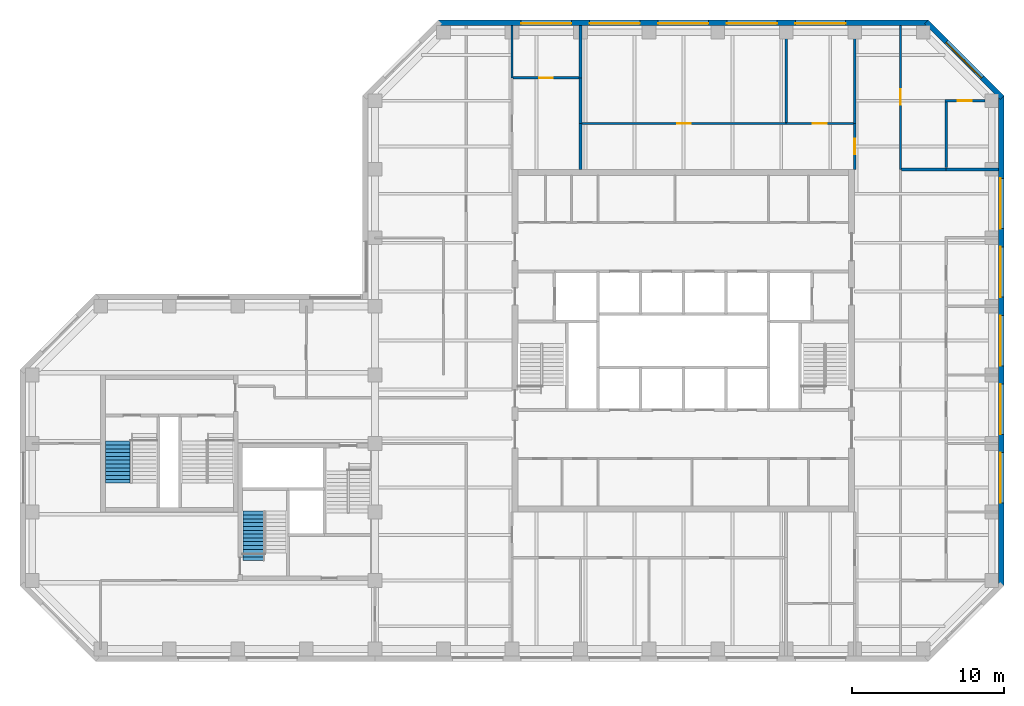
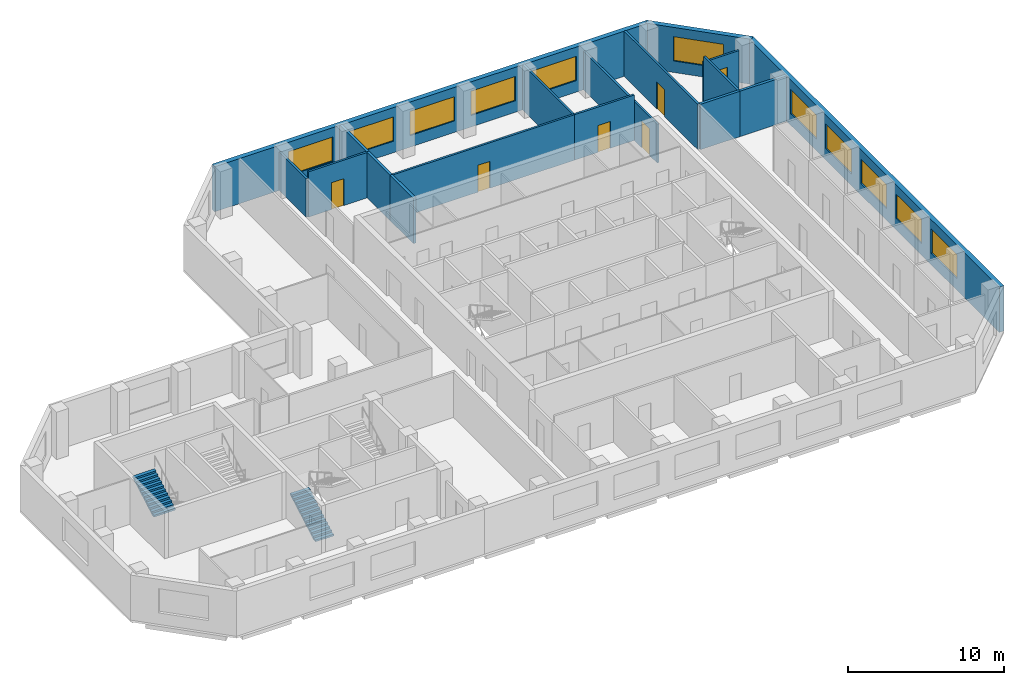
# One storey, part 7 of 9: 18 walls, 11 windows, 6 doors, 2 stair flights, 17 openings, 2 elements without a shape of their own.
"""IFC4 building model written with IfcOpenShell, lengths in metres."""

import ifcopenshell
import ifcopenshell.guid

model = None  # the IFC model being written
_history = None  # IfcOwnerHistory: only IFC2X3 demands one
_inside = {}  # id of a spatial element -> (the spatial element, [elements in it])
_under = {}  # id of a project, library or spatial element -> (it, [spatial elements below it])
_declared = {}  # id of a project -> (the project, [libraries it declares])
_typed = {}  # id of a type object -> (the type object, [elements of that type])
_made_of = {}  # id of a material, layer set ... -> (it, [elements and type objects made of it])


def new_model(schema):
    """Start an empty IFC model of exactly this schema.

    Asked for "IFC4X3", IfcOpenShell would pick the latest addendum, in which some entities
    have other attributes; the version numbers below select the first issue.
    IFC2X3 requires an IfcOwnerHistory on every rooted entity: one is made here for all.
    """
    global model, _history
    if schema == "IFC4X3":
        model = ifcopenshell.file(schema_version=(4, 3, 0, 0))
    else:
        model = ifcopenshell.file(schema=schema)
    _inside.clear()
    _under.clear()
    _declared.clear()
    _typed.clear()
    _made_of.clear()
    _history = None
    if model.schema == "IFC2X3":
        org = make("IfcOrganization", Name="unknown")
        user = make(
            "IfcPersonAndOrganization",
            ThePerson=make("IfcPerson", FamilyName="unknown"),
            TheOrganization=org,
        )
        app = make(
            "IfcApplication",
            ApplicationDeveloper=org,
            Version="unknown",
            ApplicationFullName="unknown",
            ApplicationIdentifier="unknown",
        )
        _history = make(
            "IfcOwnerHistory",
            OwningUser=user,
            OwningApplication=app,
            ChangeAction="ADDED",
            CreationDate=0,
        )
    return model


def make(cls, **values):
    """One entity of the class cls with the attributes given. An attribute that is None is left unset."""
    return model.create_entity(
        cls, **{name: value for name, value in values.items() if value is not None}
    )


def rooted(cls, **values):
    """An entity with a GlobalId (a new one), such as an element, a storey or a relation."""
    return make(cls, GlobalId=ifcopenshell.guid.new(), OwnerHistory=_history, **values)


def si_unit(unit_type, name, prefix=None):
    """IfcSIUnit, for example si_unit("LENGTHUNIT", "METRE", prefix="MILLI")."""
    return make("IfcSIUnit", UnitType=unit_type, Prefix=prefix, Name=name)


def assignment(units):
    """IfcUnitAssignment: the units of a project."""
    return None if units is None else make("IfcUnitAssignment", Units=units)


def point(xyz):
    """IfcCartesianPoint."""
    return None if xyz is None else make("IfcCartesianPoint", Coordinates=xyz)


def direction(xyz):
    """IfcDirection."""
    return None if xyz is None else make("IfcDirection", DirectionRatios=xyz)


def frame(location, z_axis=None, x_axis=None):
    """IfcAxis2Placement3D, a coordinate frame: its origin and axes. An axis left out is left unset."""
    return make(
        "IfcAxis2Placement3D",
        Location=point(location),
        Axis=direction(z_axis),
        RefDirection=direction(x_axis),
    )


def frame_2d(location, x_axis=None):
    """IfcAxis2Placement2D, a coordinate frame in the plane: its origin and x axis."""
    return make(
        "IfcAxis2Placement2D", Location=point(location), RefDirection=direction(x_axis)
    )


def origin():
    """The frame at (0, 0, 0) with its axes left unset."""
    return frame((0.0, 0.0, 0.0))


def place(relative_to, where):
    """IfcLocalPlacement: puts the frame where relative to a parent placement (None: the world)."""
    return make(
        "IfcLocalPlacement", PlacementRelTo=relative_to, RelativePlacement=where
    )


def context(
    kind, dimensions, precision=None, world=None, true_north=None, identifier=None
):
    """IfcGeometricRepresentationContext, for example the 3D "Model" context."""
    return make(
        "IfcGeometricRepresentationContext",
        ContextIdentifier=identifier,
        ContextType=kind,
        CoordinateSpaceDimension=dimensions,
        Precision=precision,
        WorldCoordinateSystem=world,
        TrueNorth=true_north,
    )


def subcontext(parent, identifier, kind, view, scale=None):
    """IfcGeometricRepresentationSubContext, for example "Body" below "Model"."""
    return make(
        "IfcGeometricRepresentationSubContext",
        ContextIdentifier=identifier,
        ContextType=kind,
        ParentContext=parent,
        TargetScale=scale,
        TargetView=view,
    )


def project(units=None, contexts=None):
    """IfcProject with its units and contexts."""
    return rooted(
        "IfcProject",
        Name="project",
        RepresentationContexts=contexts,
        UnitsInContext=assignment(units),
    )


def spatial(cls, under=None, at=None, **own):
    """A site, building, storey or space (cls), placed at a placement, below another one or the project."""
    s = rooted(cls, ObjectPlacement=at, **own)
    if under is not None:
        _under.setdefault(under.id(), (under, []))[1].append(s)
    return s


def polyline(points):
    """IfcPolyline through the points."""
    return make("IfcPolyline", Points=[point(p) for p in points])


def profile(cls, at=None, kind="AREA", **sizes):
    """A parametric profile (cls). Its sizes go by their IFC names, for example OverallWidth=200.0."""
    return make(cls, ProfileType=kind, Position=at, **sizes)


def rectangle(**sizes):
    """IfcRectangleProfileDef."""
    return profile("IfcRectangleProfileDef", **sizes)


def outline(outer, holes=None, kind="AREA"):
    """IfcArbitraryClosedProfileDef: a profile drawn as a closed curve; with holes, ...WithVoids."""
    if holes is None:
        return make("IfcArbitraryClosedProfileDef", ProfileType=kind, OuterCurve=outer)
    return make(
        "IfcArbitraryProfileDefWithVoids",
        ProfileType=kind,
        OuterCurve=outer,
        InnerCurves=holes,
    )


def extrude(swept, where, along, depth):
    """IfcExtrudedAreaSolid: the profile swept, set in the frame where, extruded along a direction by depth."""
    return make(
        "IfcExtrudedAreaSolid",
        SweptArea=swept,
        Position=where,
        ExtrudedDirection=direction(along),
        Depth=depth,
    )


def shape(context_of_items, identifier, shape_type, items):
    """IfcShapeRepresentation: the items that make up one representation, for example the "Body"."""
    return make(
        "IfcShapeRepresentation",
        ContextOfItems=context_of_items,
        RepresentationIdentifier=identifier,
        RepresentationType=shape_type,
        Items=items,
    )


def material(Name=None, Category=None):
    """IfcMaterial."""
    return make("IfcMaterial", Name=Name, Category=Category)


def layer(
    of_material, thickness, ventilated=None, Name=None, Category=None, Priority=None
):
    """IfcMaterialLayer: one layer of a wall or slab, of a material (None: an air gap)."""
    return make(
        "IfcMaterialLayer",
        Material=of_material,
        LayerThickness=thickness,
        IsVentilated=ventilated,
        Name=Name,
        Category=Category,
        Priority=Priority,
    )


def layer_set(layers, Name=None):
    """IfcMaterialLayerSet."""
    return make("IfcMaterialLayerSet", MaterialLayers=layers, LayerSetName=Name)


def constituent(of_material, Name=None, Category=None, fraction=None):
    """IfcMaterialConstituent: one of the materials an element consists of."""
    return make(
        "IfcMaterialConstituent",
        Name=Name,
        Material=of_material,
        Fraction=fraction,
        Category=Category,
    )


def constituent_set(constituents=None, Name=None):
    """IfcMaterialConstituentSet."""
    return make(
        "IfcMaterialConstituentSet", Name=Name, MaterialConstituents=constituents
    )


def made_of(thing, what):
    """Note that an element or type object is made of a material, layer set ...; save() writes the relation."""
    if what is not None:
        _made_of.setdefault(what.id(), (what, []))[1].append(thing)
    return thing


def type_object(cls, material=None, **own):
    """A type object (cls), such as IfcWallType, which elements share."""
    return made_of(rooted(cls, **own), material)


def element(
    cls,
    number,
    at=None,
    inside=None,
    cuts=None,
    type_object=None,
    material=None,
    context=None,
    identifier="Body",
    shape_type=None,
    held_by="IfcProductDefinitionShape",
    body=None,
    shapes=None,
    **own,
):
    """One element of the class cls, such as IfcWall. Its Tag is "e" and its number.

    at: its placement. inside: the storey or other place that contains it. cuts: it is an
    opening in that element (IfcRelVoidsElement). A single representation is given by context,
    identifier, shape_type and body (its items); several are given by shapes. held_by: the class
    of the entity that holds the representations. save() writes the other relations.
    """
    e = rooted(cls, Tag="e%d" % number, ObjectPlacement=at, **own)
    if body is not None:
        shapes = [shape(context, identifier, shape_type, body)]
    if shapes is not None:
        e.Representation = make(held_by, Representations=shapes)
    if inside is not None:
        _inside.setdefault(inside.id(), (inside, []))[1].append(e)
    if cuts is not None:
        rooted(
            "IfcRelVoidsElement", RelatingBuildingElement=cuts, RelatedOpeningElement=e
        )
    if type_object is not None:
        _typed.setdefault(type_object.id(), (type_object, []))[1].append(e)
    return made_of(e, material)


def fill(opening, filler):
    """IfcRelFillsElement: the door or window that sits in an opening."""
    return rooted(
        "IfcRelFillsElement",
        RelatingOpeningElement=opening,
        RelatedBuildingElement=filler,
    )


def aggregate(whole, parts):
    """IfcRelAggregates: a whole, such as a stair, and the parts it consists of."""
    return rooted("IfcRelAggregates", RelatingObject=whole, RelatedObjects=parts)


def save(model, path):
    """Write the relations noted so far, then the file.

    IfcRelAggregates (storeys below a building ...), IfcRelContainedInSpatialStructure (elements
    in a storey), IfcRelDefinesByType, IfcRelAssociatesMaterial and IfcRelDeclares: one each for
    every whole, place, type object, material and project.
    """
    for whole, parts in _under.values():
        aggregate(whole, parts)
    for where, things in _inside.values():
        rooted(
            "IfcRelContainedInSpatialStructure",
            RelatedElements=things,
            RelatingStructure=where,
        )
    for kind, things in _typed.values():
        rooted("IfcRelDefinesByType", RelatedObjects=things, RelatingType=kind)
    for what, things in _made_of.values():
        rooted("IfcRelAssociatesMaterial", RelatedObjects=things, RelatingMaterial=what)
    for by, libraries in _declared.values():
        rooted("IfcRelDeclares", RelatingContext=by, RelatedDefinitions=libraries)
    model.write(path)


model = new_model("IFC4")

# Units and contexts
model_context = context("Model", 3, precision=1e-05, world=origin(), true_north=direction((0.0, 1.0)))
body_context = subcontext(model_context, "Body", "Model", "MODEL_VIEW")
ifc_project = project(units=[si_unit("LENGTHUNIT", "METRE"), si_unit("AREAUNIT", "SQUARE_METRE"), si_unit("VOLUMEUNIT", "CUBIC_METRE"), si_unit("PLANEANGLEUNIT", "RADIAN"), si_unit("MASSUNIT", "GRAM", prefix="KILO")], contexts=[model_context])

# Site, building, storey
site_placement = place(None, origin())
site = spatial("IfcSite", under=ifc_project, at=site_placement, CompositionType="ELEMENT")
building_placement = place(site_placement, origin())
building = spatial("IfcBuilding", under=site, at=building_placement, Name="Quoin Convention Tower", CompositionType="ELEMENT")
storey_placement = place(building_placement, frame((0.0, 0.0, 177.300048828125)))
storey = spatial("IfcBuildingStorey", under=building, at=storey_placement, Name="L46", CompositionType="ELEMENT", Elevation=177.300048828125)

# Wall, opening, door
ifc_material_1 = material(Name="Plasterboard")
ifc_layer_1 = layer(ifc_material_1, 0.012451171875, Name="Finish")
ifc_material_2 = material(Name="Steel stud framing", Category="steel")
ifc_layer_2 = layer(ifc_material_2, 0.125, Name="Structure")
ifc_layer_3 = layer(ifc_material_1, 0.012451171875, Name="Finish")
ifc_layer_set_1 = layer_set([ifc_layer_1, ifc_layer_2, ifc_layer_3], Name="Steel stud framing")
wall_type_1 = type_object("IfcWallType", Name="Acoustic partition 150", PredefinedType="PARTITIONING", material=ifc_layer_set_1)
wall_1_placement = place(storey_placement, frame((49.60009765625, 75.0, 0.0), z_axis=(0.0, 0.0, 1.0), x_axis=(1.0, 0.0, 0.0)))
wall_1 = element("IfcWall", 1, at=wall_1_placement, inside=storey, type_object=wall_type_1, Name="pw-L46-021", PredefinedType="PARTITIONING", context=body_context, shape_type="SweptSolid", body=[
    extrude(rectangle(XDim=13.39990234375, YDim=0.14990234375, at=frame_2d((6.699951171875, 0.0))), origin(), (0.0, 0.0, 1.0), 3.550048828125),
])
opening_1_placement = place(wall_1_placement, frame((6.25, 0.0, 0.0)))
opening_1 = element("IfcOpeningElement", 2, at=opening_1_placement, cuts=wall_1, Name="Opening DOH5-06", PredefinedType="OPENING", context=body_context, shape_type="SweptSolid", body=[
    extrude(rectangle(XDim=0.89990234375, YDim=2.10009765625, at=frame_2d((0.449951171875, 1.050048828125))), frame((0.0, 0.0849609375, 0.0), z_axis=(0.0, -1.0, 0.0), x_axis=(1.0, 0.0, 0.0)), (0.0, 0.0, 1.0), 0.169921875),
])
ifc_material_3 = material(Name="Steel door leaf", Category="steel")
door_type_1 = type_object("IfcDoorType", Name="Office door 900 x 2100", OperationType="SINGLE_SWING_RIGHT", PredefinedType="DOOR", material=ifc_material_3)
door_1_placement = place(opening_1_placement, frame((0.89990234375, 0.0, 0.0), z_axis=(0.0, 0.0, 1.0), x_axis=(-1.0, 0.0, 0.0)))
door_1 = element("IfcDoor", 3, at=door_1_placement, inside=storey, type_object=door_type_1, Name="dr-L46-16", OperationType="SINGLE_SWING_LEFT", OverallHeight=2.10009765625, OverallWidth=0.89990234375, PredefinedType="DOOR", context=body_context, shape_type="SweptSolid", body=[
    extrude(rectangle(XDim=0.89990234375, YDim=2.10009765625, at=frame_2d((0.449951171875, 1.050048828125))), frame((0.0, 0.02490234375, 0.0), z_axis=(0.0, -1.0, 0.0), x_axis=(1.0, 0.0, 0.0)), (0.0, 0.0, 1.0), 0.050048828125),
])
fill(opening_1, door_1)

wall_2_placement = place(storey_placement, frame((63.0, 75.0, 0.0), z_axis=(0.0, 0.0, 1.0), x_axis=(1.0, 0.0, 0.0)))
wall_2 = element("IfcWall", 4, at=wall_2_placement, inside=storey, type_object=wall_type_1, Name="pw-L46-022", PredefinedType="PARTITIONING", context=body_context, shape_type="SweptSolid", body=[
    extrude(rectangle(XDim=4.425048828125, YDim=0.14990234375, at=frame_2d((2.21240234375, 0.0))), origin(), (0.0, 0.0, 1.0), 3.550048828125),
])
opening_2_placement = place(wall_2_placement, frame((1.75, 0.0, 0.0)))
opening_2 = element("IfcOpeningElement", 5, at=opening_2_placement, cuts=wall_2, Name="Opening DOH5-07", PredefinedType="OPENING", context=body_context, shape_type="SweptSolid", body=[
    extrude(rectangle(XDim=0.89990234375, YDim=2.10009765625, at=frame_2d((0.449951171875, 1.050048828125))), frame((0.0, 0.0849609375, 0.0), z_axis=(0.0, -1.0, 0.0), x_axis=(1.0, 0.0, 0.0)), (0.0, 0.0, 1.0), 0.169921875),
])
door_2_placement = place(opening_2_placement, origin())
door_2 = element("IfcDoor", 6, at=door_2_placement, inside=storey, type_object=door_type_1, Name="dr-L46-17", OperationType="SINGLE_SWING_LEFT", OverallHeight=2.10009765625, OverallWidth=0.89990234375, PredefinedType="DOOR", context=body_context, shape_type="SweptSolid", body=[
    extrude(rectangle(XDim=0.89990234375, YDim=2.10009765625, at=frame_2d((0.449951171875, 1.050048828125))), frame((0.0, 0.02490234375, 0.0), z_axis=(0.0, -1.0, 0.0), x_axis=(1.0, 0.0, 0.0)), (0.0, 0.0, 1.0), 0.050048828125),
])
fill(opening_2, door_2)

wall_3_placement = place(storey_placement, frame((45.074951171875, 78.0, 0.0), z_axis=(0.0, 0.0, 1.0), x_axis=(1.0, 0.0, 0.0)))
wall_3 = element("IfcWall", 7, at=wall_3_placement, inside=storey, type_object=wall_type_1, Name="pw-L46-024", PredefinedType="PARTITIONING", context=body_context, shape_type="SweptSolid", body=[
    extrude(rectangle(XDim=4.324951171875, YDim=0.14990234375, at=frame_2d((2.16259765625, 0.0))), origin(), (0.0, 0.0, 1.0), 3.550048828125),
])
opening_3_placement = place(wall_3_placement, frame((1.699951171875, 0.0, 0.0)))
opening_3 = element("IfcOpeningElement", 8, at=opening_3_placement, cuts=wall_3, Name="Opening DOH5-09", PredefinedType="OPENING", context=body_context, shape_type="SweptSolid", body=[
    extrude(rectangle(XDim=0.89990234375, YDim=2.10009765625, at=frame_2d((0.449951171875, 1.050048828125))), frame((0.0, 0.0849609375, 0.0), z_axis=(0.0, -1.0, 0.0), x_axis=(1.0, 0.0, 0.0)), (0.0, 0.0, 1.0), 0.169921875),
])
door_3_placement = place(opening_3_placement, origin())
door_3 = element("IfcDoor", 9, at=door_3_placement, inside=storey, type_object=door_type_1, Name="dr-L46-14", OperationType="SINGLE_SWING_RIGHT", OverallHeight=2.10009765625, OverallWidth=0.89990234375, PredefinedType="DOOR", context=body_context, shape_type="SweptSolid", body=[
    extrude(rectangle(XDim=0.89990234375, YDim=2.10009765625, at=frame_2d((0.449951171875, 1.050048828125))), frame((0.0, 0.02490234375, 0.0), z_axis=(0.0, -1.0, 0.0), x_axis=(1.0, 0.0, 0.0)), (0.0, 0.0, 1.0), 0.050048828125),
])
fill(opening_3, door_3)

# Walls
wall_4_placement = place(storey_placement, frame((73.5, 72.10009765625, 0.0), z_axis=(0.0, 0.0, 1.0), x_axis=(0.0, 1.0, 0.0)))
element("IfcWall", 10, at=wall_4_placement, inside=storey, type_object=wall_type_1, Name="pw-L46-054", PredefinedType="PARTITIONING", context=body_context, shape_type="SweptSolid", body=[
    extrude(rectangle(XDim=4.324951171875, YDim=0.14990234375, at=frame_2d((2.16259765625, 0.0))), origin(), (0.0, 0.0, 1.0), 3.550048828125),
])
wall_5_placement = place(storey_placement, frame((63.0, 75.074951171875, 0.0), z_axis=(0.0, 0.0, 1.0), x_axis=(0.0, 1.0, 0.0)))
element("IfcWall", 11, at=wall_5_placement, inside=storey, type_object=wall_type_1, Name="pw-L46-057", PredefinedType="PARTITIONING", context=body_context, shape_type="SweptSolid", body=[
    extrude(rectangle(XDim=6.375, YDim=0.14990234375, at=frame_2d((3.1875, 0.0))), origin(), (0.0, 0.0, 1.0), 3.550048828125),
])

# Wall, opening, door
ifc_layer_4 = layer(ifc_material_1, 0.012451171875, Name="Finish")
ifc_layer_5 = layer(ifc_material_2, 0.125, Name="Structure")
ifc_layer_6 = layer(ifc_material_1, 0.012451171875, Name="Finish")
ifc_layer_set_2 = layer_set([ifc_layer_4, ifc_layer_5, ifc_layer_6], Name="Steel stud framing")
wall_type_2 = type_object("IfcWallType", Name="Acoustic partition 150 under beam 454", PredefinedType="PARTITIONING", material=ifc_layer_set_2)
wall_6_placement = place(storey_placement, frame((73.425048828125, 76.5, 0.0), z_axis=(0.0, 0.0, 1.0), x_axis=(1.0, 0.0, 0.0)))
wall_6 = element("IfcWall", 12, at=wall_6_placement, inside=storey, type_object=wall_type_2, Name="pw-L46-023", PredefinedType="PARTITIONING", context=body_context, shape_type="SweptSolid", body=[
    extrude(rectangle(XDim=2.625, YDim=0.14990234375, at=frame_2d((1.3125, 0.0))), origin(), (0.0, 0.0, 1.0), 3.095947265625),
])
opening_4_placement = place(wall_6_placement, frame((0.85009765625, 0.0, 0.0)))
opening_4 = element("IfcOpeningElement", 13, at=opening_4_placement, cuts=wall_6, Name="Opening DOH5-08", PredefinedType="OPENING", context=body_context, shape_type="SweptSolid", body=[
    extrude(rectangle(XDim=0.89990234375, YDim=2.10009765625, at=frame_2d((0.449951171875, 1.050048828125))), frame((0.0, 0.0849609375, 0.0), z_axis=(0.0, -1.0, 0.0), x_axis=(1.0, 0.0, 0.0)), (0.0, 0.0, 1.0), 0.169921875),
])
door_4_placement = place(opening_4_placement, origin())
door_4 = element("IfcDoor", 14, at=door_4_placement, inside=storey, type_object=door_type_1, Name="dr-L46-26", OperationType="SINGLE_SWING_RIGHT", OverallHeight=2.10009765625, OverallWidth=0.89990234375, PredefinedType="DOOR", context=body_context, shape_type="SweptSolid", body=[
    extrude(rectangle(XDim=0.89990234375, YDim=2.10009765625, at=frame_2d((0.449951171875, 1.050048828125))), frame((0.0, 0.02490234375, 0.0), z_axis=(0.0, -1.0, 0.0), x_axis=(1.0, 0.0, 0.0)), (0.0, 0.0, 1.0), 0.050048828125),
])
fill(opening_4, door_4)

# Wall, openings, windows
ifc_material_4 = material(Name="Brick masonry", Category="masonry")
ifc_layer_7 = layer(ifc_material_4, 0.35009765625)
ifc_layer_set_3 = layer_set([ifc_layer_7], Name="Brick masonry")
wall_type_3 = type_object("IfcWallType", Name="Brick facade wall", PredefinedType="STANDARD", material=ifc_layer_set_3)
wall_7_placement = place(storey_placement, frame((77.125, 44.668701171875, 0.0), z_axis=(0.0, 0.0, 1.0), x_axis=(0.0, 1.0, 0.0)))
wall_7 = element("IfcWall", 15, at=wall_7_placement, inside=storey, type_object=wall_type_3, Name="fw-L46-76500_45000", PredefinedType="STANDARD", context=body_context, shape_type="SweptSolid", body=[
    extrude(rectangle(XDim=32.16259765625, YDim=0.35009765625, at=frame_2d((16.081298828125, 0.0))), origin(), (0.0, 0.0, 1.0), 3.52490234375),
])
opening_5_placement = place(wall_7_placement, frame((5.431396484375, 0.0, 0.89990234375)))
opening_5 = element("IfcOpeningElement", 16, at=opening_5_placement, cuts=wall_7, Name="Opening W-02", PredefinedType="OPENING", context=body_context, shape_type="SweptSolid", body=[
    extrude(rectangle(XDim=3.300048828125, YDim=1.89990234375, at=frame_2d((1.64990234375, 0.949951171875))), frame((0.0, 0.18505859375, 0.0), z_axis=(0.0, -1.0, 0.0), x_axis=(1.0, 0.0, 0.0)), (0.0, 0.0, 1.0), 0.3701171875),
])
opening_6_placement = place(wall_7_placement, frame((9.931396484375, 0.0, 0.89990234375)))
opening_6 = element("IfcOpeningElement", 17, at=opening_6_placement, cuts=wall_7, Name="Opening W-02", PredefinedType="OPENING", context=body_context, shape_type="SweptSolid", body=[
    extrude(rectangle(XDim=3.300048828125, YDim=1.89990234375, at=frame_2d((1.64990234375, 0.949951171875))), frame((0.0, 0.18505859375, 0.0), z_axis=(0.0, -1.0, 0.0), x_axis=(1.0, 0.0, 0.0)), (0.0, 0.0, 1.0), 0.3701171875),
])
opening_7_placement = place(wall_7_placement, frame((14.431396484375, 0.0, 0.89990234375)))
opening_7 = element("IfcOpeningElement", 18, at=opening_7_placement, cuts=wall_7, Name="Opening W-02", PredefinedType="OPENING", context=body_context, shape_type="SweptSolid", body=[
    extrude(rectangle(XDim=3.300048828125, YDim=1.89990234375, at=frame_2d((1.64990234375, 0.949951171875))), frame((0.0, 0.18505859375, 0.0), z_axis=(0.0, -1.0, 0.0), x_axis=(1.0, 0.0, 0.0)), (0.0, 0.0, 1.0), 0.3701171875),
])
opening_8_placement = place(wall_7_placement, frame((18.931396484375, 0.0, 0.89990234375)))
opening_8 = element("IfcOpeningElement", 19, at=opening_8_placement, cuts=wall_7, Name="Opening W-02", PredefinedType="OPENING", context=body_context, shape_type="SweptSolid", body=[
    extrude(rectangle(XDim=3.300048828125, YDim=1.89990234375, at=frame_2d((1.64990234375, 0.949951171875))), frame((0.0, 0.18505859375, 0.0), z_axis=(0.0, -1.0, 0.0), x_axis=(1.0, 0.0, 0.0)), (0.0, 0.0, 1.0), 0.3701171875),
])
opening_9_placement = place(wall_7_placement, frame((23.431396484375, 0.0, 0.89990234375)))
opening_9 = element("IfcOpeningElement", 20, at=opening_9_placement, cuts=wall_7, Name="Opening W-02", PredefinedType="OPENING", context=body_context, shape_type="SweptSolid", body=[
    extrude(rectangle(XDim=3.300048828125, YDim=1.89990234375, at=frame_2d((1.64990234375, 0.949951171875))), frame((0.0, 0.18505859375, 0.0), z_axis=(0.0, -1.0, 0.0), x_axis=(1.0, 0.0, 0.0)), (0.0, 0.0, 1.0), 0.3701171875),
])
ifc_material_5 = material(Name="Aluminium", Category="aluminium")
ifc_constituent_1 = constituent(ifc_material_5, Name="Frame")
ifc_material_6 = material(Name="Insulated glass", Category="glass")
ifc_constituent_2 = constituent(ifc_material_6, Name="Glazing")
ifc_constituent_set = constituent_set(constituents=[ifc_constituent_1, ifc_constituent_2], Name="Aluminium")
window_type = type_object("IfcWindowType", Name="Office window", PartitioningType="DOUBLE_PANEL_VERTICAL", PredefinedType="WINDOW", material=ifc_constituent_set)
window_1_placement = place(opening_5_placement, origin())
window_1 = element("IfcWindow", 21, at=window_1_placement, inside=storey, type_object=window_type, Name="win-L46-77125_51750", OverallHeight=1.89990234375, OverallWidth=3.300048828125, PartitioningType="SINGLE_PANEL", PredefinedType="WINDOW", context=body_context, shape_type="SweptSolid", body=[
    extrude(rectangle(XDim=3.300048828125, YDim=1.89990234375, at=frame_2d((1.64990234375, 0.949951171875))), frame((0.0, 0.0849609375, 0.0), z_axis=(0.0, -1.0, 0.0), x_axis=(1.0, 0.0, 0.0)), (0.0, 0.0, 1.0), 0.06005859375),
])
fill(opening_5, window_1)
window_2_placement = place(opening_6_placement, origin())
window_2 = element("IfcWindow", 22, at=window_2_placement, inside=storey, type_object=window_type, Name="win-L46-77125_56250", OverallHeight=1.89990234375, OverallWidth=3.300048828125, PartitioningType="SINGLE_PANEL", PredefinedType="WINDOW", context=body_context, shape_type="SweptSolid", body=[
    extrude(rectangle(XDim=3.300048828125, YDim=1.89990234375, at=frame_2d((1.64990234375, 0.949951171875))), frame((0.0, 0.0849609375, 0.0), z_axis=(0.0, -1.0, 0.0), x_axis=(1.0, 0.0, 0.0)), (0.0, 0.0, 1.0), 0.06005859375),
])
fill(opening_6, window_2)
window_3_placement = place(opening_7_placement, origin())
window_3 = element("IfcWindow", 23, at=window_3_placement, inside=storey, type_object=window_type, Name="win-L46-77125_60750", OverallHeight=1.89990234375, OverallWidth=3.300048828125, PartitioningType="SINGLE_PANEL", PredefinedType="WINDOW", context=body_context, shape_type="SweptSolid", body=[
    extrude(rectangle(XDim=3.300048828125, YDim=1.89990234375, at=frame_2d((1.64990234375, 0.949951171875))), frame((0.0, 0.0849609375, 0.0), z_axis=(0.0, -1.0, 0.0), x_axis=(1.0, 0.0, 0.0)), (0.0, 0.0, 1.0), 0.06005859375),
])
fill(opening_7, window_3)
window_4_placement = place(opening_8_placement, origin())
window_4 = element("IfcWindow", 24, at=window_4_placement, inside=storey, type_object=window_type, Name="win-L46-77125_65250", OverallHeight=1.89990234375, OverallWidth=3.300048828125, PartitioningType="SINGLE_PANEL", PredefinedType="WINDOW", context=body_context, shape_type="SweptSolid", body=[
    extrude(rectangle(XDim=3.300048828125, YDim=1.89990234375, at=frame_2d((1.64990234375, 0.949951171875))), frame((0.0, 0.0849609375, 0.0), z_axis=(0.0, -1.0, 0.0), x_axis=(1.0, 0.0, 0.0)), (0.0, 0.0, 1.0), 0.06005859375),
])
fill(opening_8, window_4)
window_5_placement = place(opening_9_placement, origin())
window_5 = element("IfcWindow", 25, at=window_5_placement, inside=storey, type_object=window_type, Name="win-L46-77125_69750", OverallHeight=1.89990234375, OverallWidth=3.300048828125, PartitioningType="SINGLE_PANEL", PredefinedType="WINDOW", context=body_context, shape_type="SweptSolid", body=[
    extrude(rectangle(XDim=3.300048828125, YDim=1.89990234375, at=frame_2d((1.64990234375, 0.949951171875))), frame((0.0, 0.0849609375, 0.0), z_axis=(0.0, -1.0, 0.0), x_axis=(1.0, 0.0, 0.0)), (0.0, 0.0, 1.0), 0.06005859375),
])
fill(opening_9, window_5)

# Wall, opening, window
wall_8_placement = place(storey_placement, frame((77.17626953125, 76.70751953125, 0.0), z_axis=(0.0, 0.0, 1.0), x_axis=(-0.707106781187, 0.707106781187, 0.0)))
wall_8 = element("IfcWall", 26, at=wall_8_placement, inside=storey, type_object=wall_type_3, Name="fw-L46-76500_76500", PredefinedType="STANDARD", context=body_context, shape_type="SweptSolid", body=[
    extrude(rectangle(XDim=7.02685546875, YDim=0.35009765625, at=frame_2d((3.513427734375, 0.0))), origin(), (0.0, 0.0, 1.0), 3.52490234375),
])
opening_10_placement = place(wall_8_placement, frame((1.86328125, 0.0, 0.89990234375)))
opening_10 = element("IfcOpeningElement", 27, at=opening_10_placement, cuts=wall_8, Name="Opening W-02", PredefinedType="OPENING", context=body_context, shape_type="SweptSolid", body=[
    extrude(rectangle(XDim=3.300048828125, YDim=1.89990234375, at=frame_2d((1.64990234375, 0.949951171875))), frame((0.0, 0.18505859375, 0.0), z_axis=(0.0, -1.0, 0.0), x_axis=(1.0, 0.0, 0.0)), (0.0, 0.0, 1.0), 0.3701171875),
])
window_6_placement = place(opening_10_placement, origin())
window_6 = element("IfcWindow", 28, at=window_6_placement, inside=storey, type_object=window_type, Name="win-L46-74692_79192", OverallHeight=1.89990234375, OverallWidth=3.300048828125, PartitioningType="SINGLE_PANEL", PredefinedType="WINDOW", context=body_context, shape_type="SweptSolid", body=[
    extrude(rectangle(XDim=3.300048828125, YDim=1.89990234375, at=frame_2d((1.64990234375, 0.949951171875))), frame((0.0, 0.0849609375, 0.0), z_axis=(0.0, -1.0, 0.0), x_axis=(1.0, 0.0, 0.0)), (0.0, 0.0, 1.0), 0.06005859375),
])
fill(opening_10, window_6)

# Wall, openings, windows
wall_9_placement = place(storey_placement, frame((72.331298828125, 81.625, 0.0), z_axis=(0.0, 0.0, 1.0), x_axis=(-1.0, 0.0, 0.0)))
wall_9 = element("IfcWall", 29, at=wall_9_placement, inside=storey, type_object=wall_type_3, Name="fw-L46-72000_81000", PredefinedType="STANDARD", context=body_context, shape_type="SweptSolid", body=[
    extrude(rectangle(XDim=32.16259765625, YDim=0.35009765625, at=frame_2d((16.081298828125, 0.0))), origin(), (0.0, 0.0, 1.0), 3.52490234375),
])
opening_11_placement = place(wall_9_placement, frame((5.431396484375, 0.0, 0.89990234375)))
opening_11 = element("IfcOpeningElement", 30, at=opening_11_placement, cuts=wall_9, Name="Opening W-02", PredefinedType="OPENING", context=body_context, shape_type="SweptSolid", body=[
    extrude(rectangle(XDim=3.300048828125, YDim=1.89990234375, at=frame_2d((1.64990234375, 0.949951171875))), frame((0.0, 0.18505859375, 0.0), z_axis=(0.0, -1.0, 0.0), x_axis=(1.0, 0.0, 0.0)), (0.0, 0.0, 1.0), 0.3701171875),
])
opening_12_placement = place(wall_9_placement, frame((9.931396484375, 0.0, 0.89990234375)))
opening_12 = element("IfcOpeningElement", 31, at=opening_12_placement, cuts=wall_9, Name="Opening W-02", PredefinedType="OPENING", context=body_context, shape_type="SweptSolid", body=[
    extrude(rectangle(XDim=3.300048828125, YDim=1.89990234375, at=frame_2d((1.64990234375, 0.949951171875))), frame((0.0, 0.18505859375, 0.0), z_axis=(0.0, -1.0, 0.0), x_axis=(1.0, 0.0, 0.0)), (0.0, 0.0, 1.0), 0.3701171875),
])
opening_13_placement = place(wall_9_placement, frame((14.431396484375, 0.0, 0.89990234375)))
opening_13 = element("IfcOpeningElement", 32, at=opening_13_placement, cuts=wall_9, Name="Opening W-02", PredefinedType="OPENING", context=body_context, shape_type="SweptSolid", body=[
    extrude(rectangle(XDim=3.300048828125, YDim=1.89990234375, at=frame_2d((1.64990234375, 0.949951171875))), frame((0.0, 0.18505859375, 0.0), z_axis=(0.0, -1.0, 0.0), x_axis=(1.0, 0.0, 0.0)), (0.0, 0.0, 1.0), 0.3701171875),
])
opening_14_placement = place(wall_9_placement, frame((18.931396484375, 0.0, 0.89990234375)))
opening_14 = element("IfcOpeningElement", 33, at=opening_14_placement, cuts=wall_9, Name="Opening W-02", PredefinedType="OPENING", context=body_context, shape_type="SweptSolid", body=[
    extrude(rectangle(XDim=3.300048828125, YDim=1.89990234375, at=frame_2d((1.64990234375, 0.949951171875))), frame((0.0, 0.18505859375, 0.0), z_axis=(0.0, -1.0, 0.0), x_axis=(1.0, 0.0, 0.0)), (0.0, 0.0, 1.0), 0.3701171875),
])
opening_15_placement = place(wall_9_placement, frame((23.431396484375, 0.0, 0.89990234375)))
opening_15 = element("IfcOpeningElement", 34, at=opening_15_placement, cuts=wall_9, Name="Opening W-02", PredefinedType="OPENING", context=body_context, shape_type="SweptSolid", body=[
    extrude(rectangle(XDim=3.300048828125, YDim=1.89990234375, at=frame_2d((1.64990234375, 0.949951171875))), frame((0.0, 0.18505859375, 0.0), z_axis=(0.0, -1.0, 0.0), x_axis=(1.0, 0.0, 0.0)), (0.0, 0.0, 1.0), 0.3701171875),
])
window_7_placement = place(opening_11_placement, origin())
window_7 = element("IfcWindow", 35, at=window_7_placement, inside=storey, type_object=window_type, Name="win-L46-65250_81625", OverallHeight=1.89990234375, OverallWidth=3.300048828125, PartitioningType="SINGLE_PANEL", PredefinedType="WINDOW", context=body_context, shape_type="SweptSolid", body=[
    extrude(rectangle(XDim=3.300048828125, YDim=1.89990234375, at=frame_2d((1.64990234375, 0.949951171875))), frame((0.0, 0.0849609375, 0.0), z_axis=(0.0, -1.0, 0.0), x_axis=(1.0, 0.0, 0.0)), (0.0, 0.0, 1.0), 0.06005859375),
])
fill(opening_11, window_7)
window_8_placement = place(opening_12_placement, origin())
window_8 = element("IfcWindow", 36, at=window_8_placement, inside=storey, type_object=window_type, Name="win-L46-60750_81625", OverallHeight=1.89990234375, OverallWidth=3.300048828125, PartitioningType="SINGLE_PANEL", PredefinedType="WINDOW", context=body_context, shape_type="SweptSolid", body=[
    extrude(rectangle(XDim=3.300048828125, YDim=1.89990234375, at=frame_2d((1.64990234375, 0.949951171875))), frame((0.0, 0.0849609375, 0.0), z_axis=(0.0, -1.0, 0.0), x_axis=(1.0, 0.0, 0.0)), (0.0, 0.0, 1.0), 0.06005859375),
])
fill(opening_12, window_8)
window_9_placement = place(opening_13_placement, origin())
window_9 = element("IfcWindow", 37, at=window_9_placement, inside=storey, type_object=window_type, Name="win-L46-56250_81625", OverallHeight=1.89990234375, OverallWidth=3.300048828125, PartitioningType="SINGLE_PANEL", PredefinedType="WINDOW", context=body_context, shape_type="SweptSolid", body=[
    extrude(rectangle(XDim=3.300048828125, YDim=1.89990234375, at=frame_2d((1.64990234375, 0.949951171875))), frame((0.0, 0.0849609375, 0.0), z_axis=(0.0, -1.0, 0.0), x_axis=(1.0, 0.0, 0.0)), (0.0, 0.0, 1.0), 0.06005859375),
])
fill(opening_13, window_9)
window_10_placement = place(opening_14_placement, origin())
window_10 = element("IfcWindow", 38, at=window_10_placement, inside=storey, type_object=window_type, Name="win-L46-51750_81625", OverallHeight=1.89990234375, OverallWidth=3.300048828125, PartitioningType="SINGLE_PANEL", PredefinedType="WINDOW", context=body_context, shape_type="SweptSolid", body=[
    extrude(rectangle(XDim=3.300048828125, YDim=1.89990234375, at=frame_2d((1.64990234375, 0.949951171875))), frame((0.0, 0.0849609375, 0.0), z_axis=(0.0, -1.0, 0.0), x_axis=(1.0, 0.0, 0.0)), (0.0, 0.0, 1.0), 0.06005859375),
])
fill(opening_14, window_10)
window_11_placement = place(opening_15_placement, origin())
window_11 = element("IfcWindow", 39, at=window_11_placement, inside=storey, type_object=window_type, Name="win-L46-47250_81625", OverallHeight=1.89990234375, OverallWidth=3.300048828125, PartitioningType="SINGLE_PANEL", PredefinedType="WINDOW", context=body_context, shape_type="SweptSolid", body=[
    extrude(rectangle(XDim=3.300048828125, YDim=1.89990234375, at=frame_2d((1.64990234375, 0.949951171875))), frame((0.0, 0.0849609375, 0.0), z_axis=(0.0, -1.0, 0.0), x_axis=(1.0, 0.0, 0.0)), (0.0, 0.0, 1.0), 0.06005859375),
])
fill(opening_15, window_11)

# Wall, opening, door
ifc_layer_8 = layer(ifc_material_1, 0.012451171875, Name="Finish")
ifc_layer_9 = layer(ifc_material_2, 0.125, Name="Structure")
ifc_layer_10 = layer(ifc_material_1, 0.012451171875, Name="Finish")
ifc_layer_set_4 = layer_set([ifc_layer_8, ifc_layer_9, ifc_layer_10], Name="Steel stud framing")
wall_type_4 = type_object("IfcWallType", Name="Corridor wall 150", PredefinedType="PARTITIONING", material=ifc_layer_set_4)
wall_10_placement = place(storey_placement, frame((70.5, 72.0, 0.0), z_axis=(0.0, 0.0, 1.0), x_axis=(0.0, 1.0, 0.0)))
wall_10 = element("IfcWall", 40, at=wall_10_placement, inside=storey, type_object=wall_type_4, Name="pw-L46-053", PredefinedType="PARTITIONING", context=body_context, shape_type="SweptSolid", body=[
    extrude(rectangle(XDim=9.449951171875, YDim=0.14990234375, at=frame_2d((4.72509765625, 0.0))), origin(), (0.0, 0.0, 1.0), 3.550048828125),
])
opening_16_placement = place(wall_10_placement, frame((4.25, 0.0, 0.0)))
opening_16 = element("IfcOpeningElement", 41, at=opening_16_placement, cuts=wall_10, Name="Opening DOH5-22", PredefinedType="OPENING", context=body_context, shape_type="SweptSolid", body=[
    extrude(rectangle(XDim=1.0, YDim=2.10009765625, at=frame_2d((0.5, 1.050048828125))), frame((0.0, 0.0849609375, 0.0), z_axis=(0.0, -1.0, 0.0), x_axis=(1.0, 0.0, 0.0)), (0.0, 0.0, 1.0), 0.169921875),
])
door_type_2 = type_object("IfcDoorType", Name="Tenancy entrance door 1000 x 2100", OperationType="DOUBLE_DOOR_SINGLE_SWING", PredefinedType="DOOR", material=ifc_material_3)
door_5_placement = place(opening_16_placement, frame((1.0, 0.0, 0.0), z_axis=(0.0, 0.0, 1.0), x_axis=(-1.0, 0.0, 0.0)))
door_5 = element("IfcDoor", 42, at=door_5_placement, inside=storey, type_object=door_type_2, Name="dr-L46-25", OperationType="DOUBLE_DOOR_SINGLE_SWING", OverallHeight=2.10009765625, OverallWidth=1.0, PredefinedType="DOOR", context=body_context, shape_type="SweptSolid", body=[
    extrude(rectangle(XDim=1.0, YDim=2.10009765625, at=frame_2d((0.5, 1.050048828125))), frame((0.0, 0.02490234375, 0.0), z_axis=(0.0, -1.0, 0.0), x_axis=(1.0, 0.0, 0.0)), (0.0, 0.0, 1.0), 0.050048828125),
])
fill(opening_16, door_5)

ifc_layer_11 = layer(ifc_material_1, 0.012451171875, Name="Finish")
ifc_layer_12 = layer(ifc_material_2, 0.125, Name="Structure")
ifc_layer_13 = layer(ifc_material_1, 0.012451171875, Name="Finish")
ifc_layer_set_5 = layer_set([ifc_layer_11, ifc_layer_12, ifc_layer_13], Name="Steel stud framing")
wall_type_5 = type_object("IfcWallType", Name="Corridor wall 150 under beam 528", PredefinedType="PARTITIONING", material=ifc_layer_set_5)
wall_11_placement = place(storey_placement, frame((67.5, 72.0, 0.0), z_axis=(0.0, 0.0, 1.0), x_axis=(0.0, 1.0, 0.0)))
wall_11 = element("IfcWall", 43, at=wall_11_placement, inside=storey, type_object=wall_type_5, Name="pw-L46-052", PredefinedType="PARTITIONING", context=body_context, shape_type="SweptSolid", body=[
    extrude(rectangle(XDim=3.0, YDim=0.14990234375, at=frame_2d((1.5, 0.0))), origin(), (0.0, 0.0, 1.0), 3.02197265625),
])
opening_17_placement = place(wall_11_placement, frame((1.0, 0.0, 0.0)))
opening_17 = element("IfcOpeningElement", 44, at=opening_17_placement, cuts=wall_11, Name="Opening DOH5-21", PredefinedType="OPENING", context=body_context, shape_type="SweptSolid", body=[
    extrude(rectangle(XDim=1.0, YDim=2.10009765625, at=frame_2d((0.5, 1.050048828125))), frame((0.0, 0.0849609375, 0.0), z_axis=(0.0, -1.0, 0.0), x_axis=(1.0, 0.0, 0.0)), (0.0, 0.0, 1.0), 0.169921875),
])
door_6_placement = place(opening_17_placement, frame((1.0, 0.0, 0.0), z_axis=(0.0, 0.0, 1.0), x_axis=(-1.0, 0.0, 0.0)))
door_6 = element("IfcDoor", 45, at=door_6_placement, inside=storey, type_object=door_type_2, Name="dr-L46-15", OperationType="DOUBLE_DOOR_SINGLE_SWING", OverallHeight=2.10009765625, OverallWidth=1.0, PredefinedType="DOOR", context=body_context, shape_type="SweptSolid", body=[
    extrude(rectangle(XDim=1.0, YDim=2.10009765625, at=frame_2d((0.5, 1.050048828125))), frame((0.0, 0.02490234375, 0.0), z_axis=(0.0, -1.0, 0.0), x_axis=(1.0, 0.0, 0.0)), (0.0, 0.0, 1.0), 0.050048828125),
])
fill(opening_17, door_6)

# Walls
wall_12_placement = place(storey_placement, frame((67.5, 75.0, 0.0), z_axis=(0.0, 0.0, 1.0), x_axis=(0.0, 1.0, 0.0)))
element("IfcWall", 46, at=wall_12_placement, inside=storey, type_object=wall_type_5, Name="pw-L46-056", PredefinedType="PARTITIONING", context=body_context, shape_type="SweptSolid", body=[
    extrude(rectangle(XDim=6.449951171875, YDim=0.14990234375, at=frame_2d((3.22509765625, 0.0))), origin(), (0.0, 0.0, 1.0), 3.02197265625),
])
wall_13_placement = place(storey_placement, frame((45.0, 78.0, 0.0), z_axis=(0.0, 0.0, 1.0), x_axis=(0.0, 1.0, 0.0)))
element("IfcWall", 47, at=wall_13_placement, inside=storey, type_object=wall_type_5, Name="pw-L46-058", PredefinedType="PARTITIONING", context=body_context, shape_type="SweptSolid", body=[
    extrude(rectangle(XDim=3.449951171875, YDim=0.14990234375, at=frame_2d((1.72509765625, 0.0))), origin(), (0.0, 0.0, 1.0), 3.02197265625),
])
ifc_layer_14 = layer(ifc_material_1, 0.012451171875, Name="Finish")
ifc_layer_15 = layer(ifc_material_2, 0.175048828125, Name="Structure")
ifc_layer_16 = layer(ifc_material_1, 0.012451171875, Name="Finish")
ifc_layer_set_6 = layer_set([ifc_layer_14, ifc_layer_15, ifc_layer_16], Name="Steel stud framing")
wall_type_6 = type_object("IfcWallType", Name="Tenancy demising wall 200", PredefinedType="PARTITIONING", material=ifc_layer_set_6)
wall_14_placement = place(storey_placement, frame((70.574951171875, 72.0, 0.0), z_axis=(0.0, 0.0, 1.0), x_axis=(1.0, 0.0, 0.0)))
element("IfcWall", 48, at=wall_14_placement, inside=storey, type_object=wall_type_6, Name="pw-L46-019", PredefinedType="PARTITIONING", context=body_context, shape_type="SweptSolid", body=[
    extrude(rectangle(XDim=2.925048828125, YDim=0.199951171875, at=frame_2d((1.46240234375, 0.0))), origin(), (0.0, 0.0, 1.0), 3.550048828125),
])
wall_15_placement = place(storey_placement, frame((73.5, 72.0, 0.0), z_axis=(0.0, 0.0, 1.0), x_axis=(1.0, 0.0, 0.0)))
element("IfcWall", 49, at=wall_15_placement, inside=storey, type_object=wall_type_6, Name="pw-L46-020", PredefinedType="PARTITIONING", context=body_context, shape_type="SweptSolid", body=[
    extrude(rectangle(XDim=3.449951171875, YDim=0.199951171875, at=frame_2d((1.72509765625, 0.0))), origin(), (0.0, 0.0, 1.0), 3.550048828125),
])
for number, where, z_axis, x_axis, name in (
    (50, (49.5, 72.0, 0.0), (0.0, 0.0, 1.0), (0.0, 1.0, 0.0), "pw-L46-051"),
    (51, (49.5, 75.0, 0.0), (0.0, 0.0, 1.0), (0.0, 1.0, 0.0), "pw-L46-055"),
):
    element("IfcWall", number, at=place(storey_placement, frame(where, z_axis=z_axis, x_axis=x_axis)), inside=storey, type_object=wall_type_6, Name=name, PredefinedType="PARTITIONING", context=body_context, shape_type="SweptSolid", body=[
        extrude(rectangle(XDim=3.0, YDim=0.199951171875, at=frame_2d((1.5, 0.0))), origin(), (0.0, 0.0, 1.0), 3.550048828125),
    ])
wall_16_placement = place(storey_placement, frame((49.5, 78.0, 0.0), z_axis=(0.0, 0.0, 1.0), x_axis=(0.0, 1.0, 0.0)))
element("IfcWall", 52, at=wall_16_placement, inside=storey, type_object=wall_type_6, Name="pw-L46-059", PredefinedType="PARTITIONING", context=body_context, shape_type="SweptSolid", body=[
    extrude(rectangle(XDim=3.449951171875, YDim=0.199951171875, at=frame_2d((1.72509765625, 0.0))), origin(), (0.0, 0.0, 1.0), 3.550048828125),
])

# Stair, stair flight
ifc_material_7 = material(Name="Concrete C40", Category="concrete")
stair_type_1 = type_object("IfcStairType", Name="Exit stair two-flight 1350", PredefinedType="HALF_TURN_STAIR", material=ifc_material_7)
stair_1_placement = place(storey_placement, origin())
stair_1 = element("IfcStair", 53, at=stair_1_placement, inside=storey, type_object=stair_type_1, Name="SD3 L46", PredefinedType="HALF_TURN_STAIR")
stair_flight_type_1 = type_object("IfcStairFlightType", Name="Stair flight 1350", PredefinedType="STRAIGHT", material=ifc_material_7)
stair_flight_1_placement = place(storey_placement, frame((28.0, 46.300048828125, 0.0), z_axis=(0.0, 0.0, 1.0), x_axis=(0.0, 1.0, 0.0)))
stair_flight_1 = element("IfcStairFlight", 54, at=stair_flight_1_placement, type_object=stair_flight_type_1, Name="ST3 flight 1", NumberOfRisers=14, NumberOfTreads=13, PredefinedType="STRAIGHT", RiserHeight=0.142307692, TreadLength=0.25, context=body_context, shape_type="SweptSolid", body=[
    extrude(outline(polyline([(0.0, 0.0), (0.0, 0.142333984375), (0.25, 0.142333984375), (0.25, 0.28466796875), (0.5, 0.28466796875), (0.5, 0.427001953125), (0.75, 0.427001953125), (0.75, 0.5693359375), (1.0, 0.5693359375), (1.0, 0.71142578125), (1.25, 0.71142578125), (1.25, 0.853759765625), (1.5, 0.853759765625), (1.5, 0.99609375), (1.75, 0.99609375), (1.75, 1.138427734375), (2.0, 1.138427734375), (2.0, 1.28076171875), (2.25, 1.28076171875), (2.25, 1.423095703125), (2.5, 1.423095703125), (2.5, 1.5654296875), (2.75, 1.5654296875), (2.75, 1.707763671875), (3.0, 1.707763671875), (3.0, 1.85009765625), (3.25, 1.85009765625), (3.25, 1.9921875), (3.25, 1.711669921875), (0.242919921875, 0.0), (0.0, 0.0)])), frame((0.0, 0.675048828125, 0.0), z_axis=(0.0, -1.0, 0.0), x_axis=(1.0, 0.0, 0.0)), (0.0, 0.0, 1.0), 1.35009765625),
])
aggregate(stair_1, [stair_flight_1])

stair_type_2 = type_object("IfcStairType", Name="Exit stair two-flight 1600", PredefinedType="HALF_TURN_STAIR", material=ifc_material_7)
stair_2_placement = place(storey_placement, origin())
stair_2 = element("IfcStair", 55, at=stair_2_placement, inside=storey, type_object=stair_type_2, Name="SD11 L46", PredefinedType="HALF_TURN_STAIR")
stair_flight_type_2 = type_object("IfcStairFlightType", Name="Stair flight 1600", PredefinedType="STRAIGHT", material=ifc_material_7)
stair_flight_2_placement = place(storey_placement, frame((19.125, 51.39990234375, 1.9921875), z_axis=(0.0, 0.0, 1.0), x_axis=(0.0, 1.0, 0.0)))
stair_flight_2 = element("IfcStairFlight", 56, at=stair_flight_2_placement, type_object=stair_flight_type_2, Name="ST11 flight 2", NumberOfRisers=12, NumberOfTreads=11, PredefinedType="STRAIGHT", RiserHeight=0.142307692, TreadLength=0.25, context=body_context, shape_type="SweptSolid", body=[
    extrude(outline(polyline([(0.0, 0.0), (0.0, 0.142333984375), (0.25, 0.142333984375), (0.25, 0.28466796875), (0.5, 0.28466796875), (0.5, 0.427001953125), (0.75, 0.427001953125), (0.75, 0.5693359375), (1.0, 0.5693359375), (1.0, 0.71142578125), (1.25, 0.71142578125), (1.25, 0.853759765625), (1.5, 0.853759765625), (1.5, 0.99609375), (1.75, 0.99609375), (1.75, 1.138427734375), (2.0, 1.138427734375), (2.0, 1.28076171875), (2.25, 1.28076171875), (2.25, 1.423095703125), (2.5, 1.423095703125), (2.5, 1.5654296875), (2.75, 1.5654296875), (2.75, 1.707763671875), (2.75, 1.42724609375), (0.242919921875, 0.0), (0.0, 0.0)])), frame((0.0, 0.800048828125, 0.0), z_axis=(0.0, -1.0, 0.0), x_axis=(1.0, 0.0, 0.0)), (0.0, 0.0, 1.0), 1.60009765625),
])
aggregate(stair_2, [stair_flight_2])

save(model, "model.ifc")
